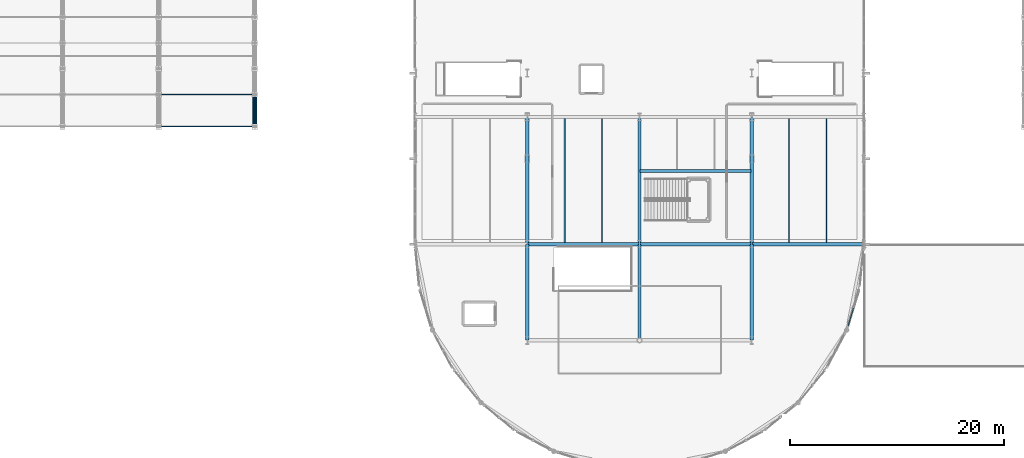
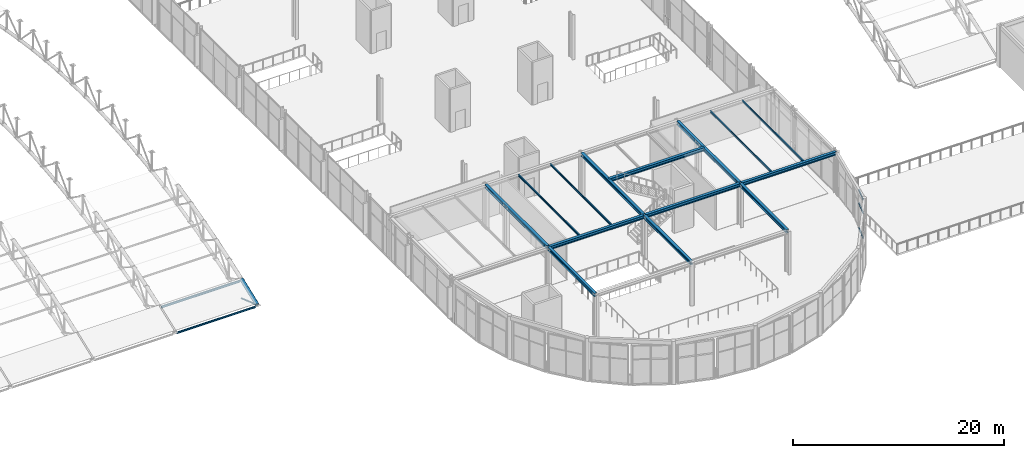
# One storey, part 27 of 195: 14 beams, 7 members, 1 element without a shape of its own.
"""IFC4 building model written with IfcOpenShell, lengths in metres."""

from ifc_helpers import new_model, si_unit, direction, frame, origin, origin_2d, place, context, subcontext, project, spatial, hollow_rectangle, hollow_circle, i_section, extrude, material, layer, layer_set, material_profile, profile_set, type_object, element, aggregate, save


model = new_model("IFC4")

# Units and contexts
model_context = context("Model", 3, precision=1e-05, world=origin(), true_north=direction((0.0, 1.0)))
body_context = subcontext(model_context, "Body", "Model", "MODEL_VIEW")
ifc_project = project(units=[si_unit("LENGTHUNIT", "METRE"), si_unit("AREAUNIT", "SQUARE_METRE"), si_unit("VOLUMEUNIT", "CUBIC_METRE"), si_unit("PLANEANGLEUNIT", "RADIAN"), si_unit("MASSUNIT", "GRAM", prefix="KILO")], contexts=[model_context])

# Site, building, storey
site_placement = place(None, origin())
site = spatial("IfcSite", under=ifc_project, at=site_placement, CompositionType="ELEMENT")
building_placement = place(site_placement, origin())
building = spatial("IfcBuilding", under=site, at=building_placement, Name="Marlcrest Central Station", CompositionType="ELEMENT")
storey_placement = place(building_placement, frame((0.0, 0.0, 9.800048828125)))
storey = spatial("IfcBuildingStorey", under=building, at=storey_placement, Name="L02", CompositionType="ELEMENT", Elevation=9.800048828125)

# Members
ifc_material_1 = material(Name="Steel S355", Category="steel")
ifc_material_profile_1 = material_profile(ifc_material_1, hollow_circle(Radius=0.203125, WallThickness=0.02001953125, at=origin_2d()), Name="CHS 406.4x20")
ifc_profile_set_1 = profile_set([ifc_material_profile_1], Name="Steel S355")
member_type_1 = type_object("IfcMemberType", Name="AC-01", PredefinedType="CHORD", material=ifc_profile_set_1)
member_1_placement = place(storey_placement, frame((72.0, 33.5, 0.44580078125), z_axis=(0.0, 0.933324071143, 0.359035065453), x_axis=(-1.0, 0.0, 0.0)))
element("IfcMember", 1, at=member_1_placement, inside=storey, type_object=member_type_1, Name="mem-AC-01-L02-00989", PredefinedType="CHORD", context=body_context, shape_type="SweptSolid", body=[
    extrude(hollow_circle(Radius=0.203125, WallThickness=0.02001953125, at=origin_2d()), origin(), (0.0, 0.0, 1.0), 3.21435546875),
])
ifc_material_profile_2 = material_profile(ifc_material_1, hollow_circle(Radius=0.084228515625, WallThickness=0.010009765625, at=origin_2d()), Name="CHS 168.3x10")
ifc_profile_set_2 = profile_set([ifc_material_profile_2], Name="Steel S355")
member_type_2 = type_object("IfcMemberType", Name="AD-01", PredefinedType="BRACE", material=ifc_profile_set_2)
member_2_placement = place(storey_placement, frame((72.0, 36.5, -0.60009765625), z_axis=(0.0, -0.944260188635, 0.329200085296), x_axis=(1.0, 0.0, 0.0)))
element("IfcMember", 2, at=member_2_placement, inside=storey, type_object=member_type_2, Name="mem-AD-01-L02-00990", PredefinedType="BRACE", context=body_context, shape_type="SweptSolid", body=[
    extrude(hollow_circle(Radius=0.084228515625, WallThickness=0.010009765625, at=origin_2d()), origin(), (0.0, 0.0, 1.0), 3.177001953125),
])

# Beams
ifc_material_profile_3 = material_profile(ifc_material_1, i_section(OverallWidth=0.300048828125, OverallDepth=0.389892578125, WebThickness=0.010986328125, FlangeThickness=0.01904296875, FilletRadius=0.027099609375, at=origin_2d()), Name="HEA 400")
ifc_profile_set_3 = profile_set([ifc_material_profile_3], Name="Steel S355")
beam_type_1 = type_object("IfcBeamType", Name="BM-08", PredefinedType="BEAM", material=ifc_profile_set_3)
for number, where, z_axis, x_axis, name in (
    (3, (97.550048828125, 22.5, 4.800048828125), (1.0, 0.0, 0.0), (0.0, 1.0, 0.0), "bm-BM-08-L02-01381"),
    (4, (108.050048828125, 22.5, 4.800048828125), (1.0, 0.0, 0.0), (0.0, 1.0, 0.0), "bm-BM-08-L02-01382"),
    (5, (118.550048828125, 22.5, 4.800048828125), (1.0, 0.0, 0.0), (0.0, 1.0, 0.0), "bm-BM-08-L02-01383"),
):
    element("IfcBeam", number, at=place(storey_placement, frame(where, z_axis=z_axis, x_axis=x_axis)), inside=storey, type_object=beam_type_1, Name=name, PredefinedType="BEAM", context=body_context, shape_type="SweptSolid", body=[
        extrude(i_section(OverallWidth=0.300048828125, OverallDepth=0.389892578125, WebThickness=0.010986328125, FlangeThickness=0.01904296875, FilletRadius=0.027099609375, at=origin_2d()), origin(), (0.0, 0.0, 1.0), 10.39990234375),
    ])
for number, where, z_axis, x_axis, name in (
    (6, (97.5, 13.550048828125, 4.800048828125), (0.0, 1.0, 0.0), (-1.0, 0.0, 0.0), "bm-BM-08-L02-01384"),
    (7, (108.0, 13.550048828125, 4.800048828125), (0.0, 1.0, 0.0), (-1.0, 0.0, 0.0), "bm-BM-08-L02-01385"),
    (8, (118.5, 13.550048828125, 4.800048828125), (0.0, 1.0, 0.0), (-1.0, 0.0, 0.0), "bm-BM-08-L02-01386"),
):
    element("IfcBeam", number, at=place(storey_placement, frame(where, z_axis=z_axis, x_axis=x_axis)), inside=storey, type_object=beam_type_1, Name=name, PredefinedType="BEAM", context=body_context, shape_type="SweptSolid", body=[
        extrude(i_section(OverallWidth=0.300048828125, OverallDepth=0.389892578125, WebThickness=0.010986328125, FlangeThickness=0.01904296875, FilletRadius=0.027099609375, at=origin_2d()), origin(), (0.0, 0.0, 1.0), 8.89990234375),
    ])
for number, where, z_axis, x_axis, name in (
    (9, (97.5, 22.550048828125, 4.800048828125), (0.0, 1.0, 0.0), (-1.0, 0.0, 0.0), "bm-BM-08-L02-01392"),
    (10, (108.0, 22.550048828125, 4.800048828125), (0.0, 1.0, 0.0), (-1.0, 0.0, 0.0), "bm-BM-08-L02-01393"),
    (11, (118.5, 22.550048828125, 4.800048828125), (0.0, 1.0, 0.0), (-1.0, 0.0, 0.0), "bm-BM-08-L02-01394"),
):
    element("IfcBeam", number, at=place(storey_placement, frame(where, z_axis=z_axis, x_axis=x_axis)), inside=storey, type_object=beam_type_1, Name=name, PredefinedType="BEAM", context=body_context, shape_type="SweptSolid", body=[
        extrude(i_section(OverallWidth=0.300048828125, OverallDepth=0.389892578125, WebThickness=0.010986328125, FlangeThickness=0.01904296875, FilletRadius=0.027099609375, at=origin_2d()), origin(), (0.0, 0.0, 1.0), 11.800048828125),
    ])
beam_placement = place(storey_placement, frame((108.050048828125, 29.35009765625, 4.800048828125), z_axis=(1.0, 0.0, 0.0), x_axis=(0.0, 1.0, 0.0)))
element("IfcBeam", 12, at=beam_placement, inside=storey, type_object=beam_type_1, Name="bm-BM-08-L02-01396", PredefinedType="BEAM", context=body_context, shape_type="SweptSolid", body=[
    extrude(i_section(OverallWidth=0.300048828125, OverallDepth=0.389892578125, WebThickness=0.010986328125, FlangeThickness=0.01904296875, FilletRadius=0.027099609375, at=origin_2d()), origin(), (0.0, 0.0, 1.0), 10.39990234375),
])
ifc_material_profile_4 = material_profile(ifc_material_1, i_section(OverallWidth=0.110107421875, OverallDepth=0.219970703125, WebThickness=0.005859375, FlangeThickness=0.00927734375, FilletRadius=0.011962890625, at=origin_2d()), Name="IPE 220")
ifc_profile_set_4 = profile_set([ifc_material_profile_4], Name="Steel S355")
beam_type_2 = type_object("IfcBeamType", Name="JS-02", PredefinedType="JOIST", material=ifc_profile_set_4)
for number, where, z_axis, x_axis, name in (
    (13, (101.0, 22.64794921875, 4.885009765625), (0.0, 1.0, 0.0), (-1.0, 0.0, 0.0), "bm-JS-02-L02-01399"),
    (14, (104.5, 22.64794921875, 4.885009765625), (0.0, 1.0, 0.0), (-1.0, 0.0, 0.0), "bm-JS-02-L02-01400"),
    (15, (122.0, 22.64794921875, 4.885009765625), (0.0, 1.0, 0.0), (-1.0, 0.0, 0.0), "bm-JS-02-L02-01403"),
    (16, (125.5, 22.64794921875, 4.885009765625), (0.0, 1.0, 0.0), (-1.0, 0.0, 0.0), "bm-JS-02-L02-01404"),
):
    element("IfcBeam", number, at=place(storey_placement, frame(where, z_axis=z_axis, x_axis=x_axis)), inside=storey, type_object=beam_type_2, Name=name, PredefinedType="JOIST", context=body_context, shape_type="SweptSolid", body=[
        extrude(i_section(OverallWidth=0.110107421875, OverallDepth=0.219970703125, WebThickness=0.005859375, FlangeThickness=0.00927734375, FilletRadius=0.011962890625, at=origin_2d()), origin(), (0.0, 0.0, 1.0), 11.60400390625),
    ])

# Members
ifc_material_profile_5 = material_profile(ifc_material_1, i_section(OverallWidth=0.10009765625, OverallDepth=0.199951171875, WebThickness=0.005615234375, FlangeThickness=0.008544921875, FilletRadius=0.011962890625, at=origin_2d()), Name="IPE 200")
ifc_profile_set_5 = profile_set([ifc_material_profile_5], Name="Steel S355")
member_type_3 = type_object("IfcMemberType", Name="PR-01", PredefinedType="PURLIN", material=ifc_profile_set_5)
member_3_placement = place(storey_placement, frame((63.179931640625, 33.5, 0.3056640625), z_axis=(1.0, 0.0, 0.0), x_axis=(0.0, 1.0, 0.0)))
element("IfcMember", 17, at=member_3_placement, inside=storey, type_object=member_type_3, Name="mem-PR-01-L02-00974", PredefinedType="PURLIN", context=body_context, shape_type="SweptSolid", body=[
    extrude(i_section(OverallWidth=0.10009765625, OverallDepth=0.199951171875, WebThickness=0.005615234375, FlangeThickness=0.008544921875, FilletRadius=0.011962890625, at=origin_2d()), origin(), (0.0, 0.0, 1.0), 8.64013671875),
])
ifc_material_profile_6 = material_profile(ifc_material_1, i_section(OverallWidth=0.1201171875, OverallDepth=0.239990234375, WebThickness=0.006103515625, FlangeThickness=0.009765625, FilletRadius=0.014892578125, at=origin_2d()), Name="IPE 240")
ifc_profile_set_6 = profile_set([ifc_material_profile_6], Name="Steel S355")
member_type_4 = type_object("IfcMemberType", Name="PR-02", PredefinedType="PURLIN", material=ifc_profile_set_6)
member_4_placement = place(storey_placement, frame((63.179931640625, 36.5, 1.4599609375), z_axis=(1.0, 0.0, 0.0), x_axis=(0.0, 1.0, 0.0)))
element("IfcMember", 18, at=member_4_placement, inside=storey, type_object=member_type_4, Name="mem-PR-02-L02-00975", PredefinedType="PURLIN", context=body_context, shape_type="SweptSolid", body=[
    extrude(i_section(OverallWidth=0.1201171875, OverallDepth=0.239990234375, WebThickness=0.006103515625, FlangeThickness=0.009765625, FilletRadius=0.014892578125, at=origin_2d()), origin(), (0.0, 0.0, 1.0), 8.64013671875),
])

# Curtain wall, members
ifc_material_2 = material(Name="Anodised aluminium and hurricane laminated glass", Category="aluminium")
ifc_layer = layer(ifc_material_2, 0.219970703125, Name="CW-U1")
ifc_layer_set = layer_set([ifc_layer], Name="Anodised aluminium and hurricane laminated glass")
curtain_wall_type = type_object("IfcCurtainWallType", Name="CW-U1", PredefinedType="USERDEFINED", material=ifc_layer_set)
curtain_wall_placement = place(storey_placement, origin())
curtain_wall = element("IfcCurtainWall", 19, at=curtain_wall_placement, inside=storey, type_object=curtain_wall_type, Name="cw-L02-0039", ObjectType="UNITISED_CURTAIN_WALL", PredefinedType="USERDEFINED")
ifc_material_3 = material(Name="Anodised aluminium 6063-T6", Category="aluminium")
ifc_material_profile_7 = material_profile(ifc_material_3, hollow_rectangle(XDim=0.06005859375, YDim=0.14990234375, WallThickness=0.00390625, at=origin_2d()), Name="AA-RHS 150x60x4")
ifc_profile_set_7 = profile_set([ifc_material_profile_7], Name="Anodised aluminium 6063-T6")
member_type_5 = type_object("IfcMemberType", Name="TR-01", PredefinedType="USERDEFINED", material=ifc_profile_set_7)
member_5_placement = place(storey_placement, frame((128.01611328125, 16.491943359375, 0.0400390625), z_axis=(-0.29025787087, -0.95694846695, 0.0), x_axis=(0.95694846695, -0.29025787087, 0.0)))
member_5 = element("IfcMember", 20, at=member_5_placement, type_object=member_type_5, Name="cw-L02-0039-tr-1-sill", ObjectType="TRANSOM", PredefinedType="USERDEFINED", context=body_context, shape_type="SweptSolid", body=[
    extrude(hollow_rectangle(XDim=0.06005859375, YDim=0.14990234375, WallThickness=0.00390625, at=origin_2d()), origin(), (0.0, 0.0, 1.0), 1.67724609375),
])
member_6_placement = place(storey_placement, frame((128.01611328125, 16.491943359375, 2.925048828125), z_axis=(-0.29025787087, -0.95694846695, 0.0), x_axis=(0.95694846695, -0.29025787087, 0.0)))
member_6 = element("IfcMember", 21, at=member_6_placement, type_object=member_type_5, Name="cw-L02-0039-tr-1-mid", ObjectType="TRANSOM", PredefinedType="USERDEFINED", context=body_context, shape_type="SweptSolid", body=[
    extrude(hollow_rectangle(XDim=0.06005859375, YDim=0.14990234375, WallThickness=0.00390625, at=origin_2d()), origin(), (0.0, 0.0, 1.0), 1.67724609375),
])
member_7_placement = place(storey_placement, frame((128.01611328125, 16.491943359375, 4.4599609375), z_axis=(-0.29025787087, -0.95694846695, 0.0), x_axis=(0.95694846695, -0.29025787087, 0.0)))
member_7 = element("IfcMember", 22, at=member_7_placement, type_object=member_type_5, Name="cw-L02-0039-tr-1-head", ObjectType="TRANSOM", PredefinedType="USERDEFINED", context=body_context, shape_type="SweptSolid", body=[
    extrude(hollow_rectangle(XDim=0.06005859375, YDim=0.14990234375, WallThickness=0.00390625, at=origin_2d()), origin(), (0.0, 0.0, 1.0), 1.67724609375),
])
aggregate(curtain_wall, [member_5, member_6, member_7])

save(model, "model.ifc")
